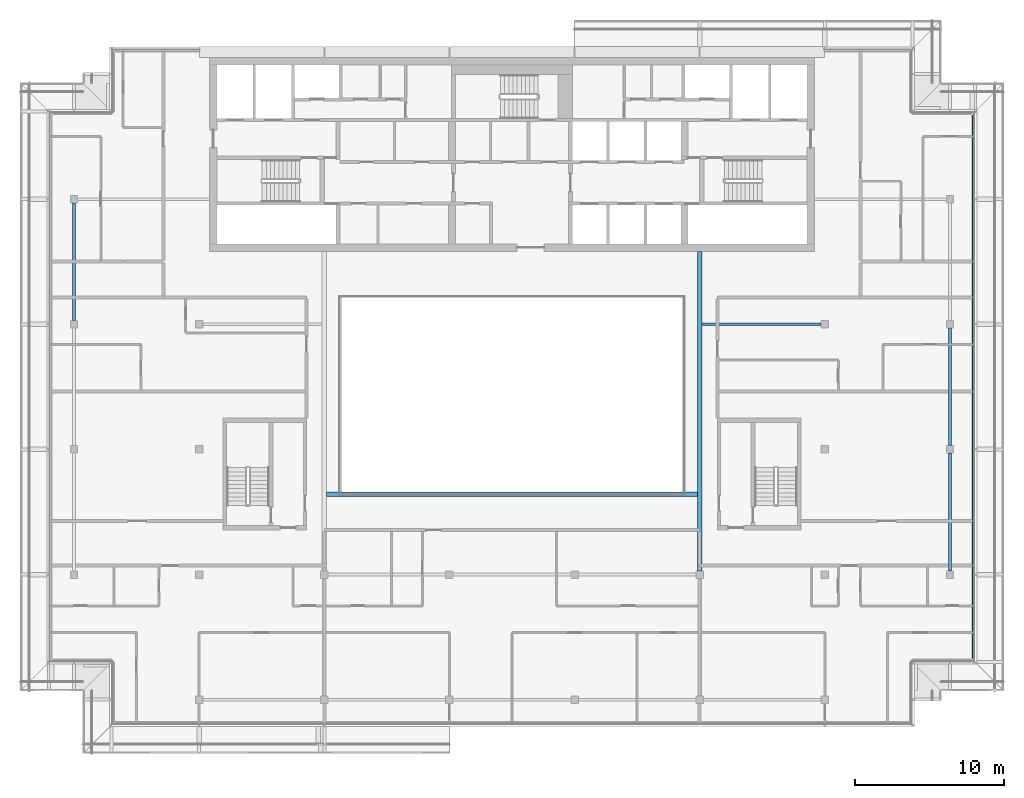
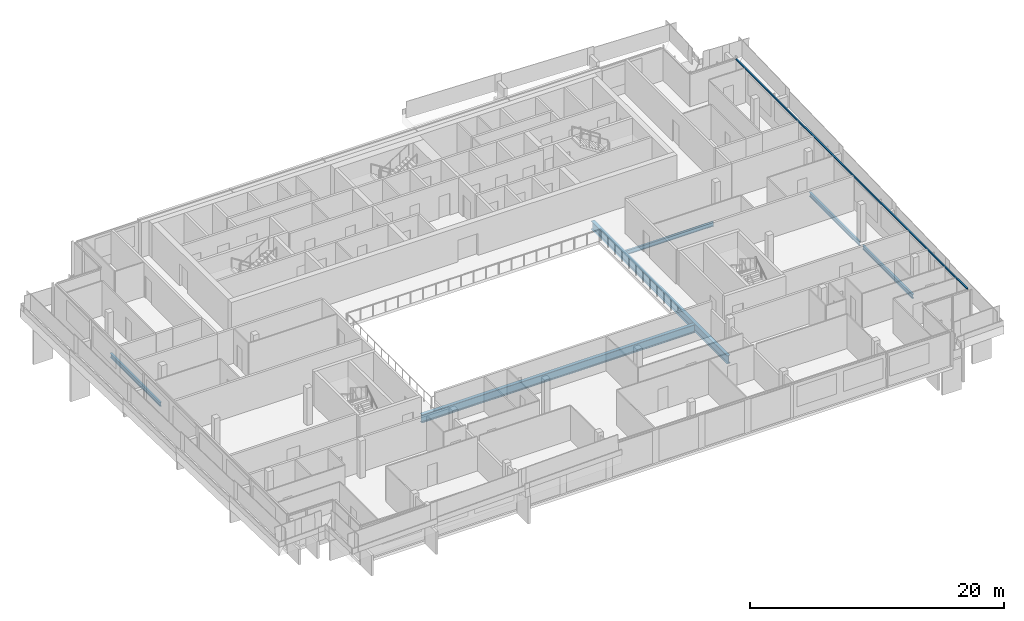
# One storey, part 7 of 27: 6 beams, 1 member, 1 element without a shape of its own.
"""IFC4 building model written with IfcOpenShell, lengths in metres."""

from ifc_helpers import new_model, si_unit, direction, frame, origin, origin_2d, place, context, subcontext, project, spatial, rectangle, i_section, extrude, material, material_profile, profile_set, type_object, element, aggregate, save


model = new_model("IFC4")

# Units and contexts
model_context = context("Model", 3, precision=1e-05, world=origin(), true_north=direction((0.0, 1.0)))
body_context = subcontext(model_context, "Body", "Model", "MODEL_VIEW")
ifc_project = project(units=[si_unit("LENGTHUNIT", "METRE"), si_unit("AREAUNIT", "SQUARE_METRE"), si_unit("VOLUMEUNIT", "CUBIC_METRE"), si_unit("PLANEANGLEUNIT", "RADIAN"), si_unit("MASSUNIT", "GRAM", prefix="KILO")], contexts=[model_context])

# Site, building, storey
site_placement = place(None, origin())
site = spatial("IfcSite", under=ifc_project, at=site_placement, CompositionType="ELEMENT")
building_placement = place(site_placement, origin())
building = spatial("IfcBuilding", under=site, at=building_placement, Name="Saffron Gate Tower", CompositionType="ELEMENT")
storey_placement = place(building_placement, frame((0.0, 0.0, 274.35009765625)))
storey = spatial("IfcBuildingStorey", under=building, at=storey_placement, Name="L66", CompositionType="ELEMENT", Elevation=274.35009765625)

# Beams
ifc_material_1 = material(Name="Structural steel S355", Category="steel")
ifc_material_profile_1 = material_profile(ifc_material_1, i_section(OverallWidth=0.300048828125, OverallDepth=0.7900390625, WebThickness=0.014892578125, FlangeThickness=0.028076171875, FilletRadius=0.030029296875, at=origin_2d()))
ifc_profile_set_1 = profile_set([ifc_material_profile_1], Name="Structural steel S355")
beam_type_1 = type_object("IfcBeamType", Name="B18 HEA 800", PredefinedType="BEAM", material=ifc_profile_set_1)
beam_1_placement = place(storey_placement, frame((100.199951171875, 40.449951171875, -0.675048828125), z_axis=(0.0, 1.0, 0.0), x_axis=(-1.0, 0.0, 0.0)))
element("IfcBeam", 1, at=beam_1_placement, inside=storey, type_object=beam_type_1, Name="B18 ATRIUM GIRDER", PredefinedType="BEAM", context=body_context, shape_type="SweptSolid", body=[
    extrude(i_section(OverallWidth=0.300048828125, OverallDepth=0.7900390625, WebThickness=0.014892578125, FlangeThickness=0.028076171875, FilletRadius=0.030029296875, at=origin_2d()), origin(), (0.0, 0.0, 1.0), 21.449951171875),
])
beam_2_placement = place(storey_placement, frame((75.14990234375, 45.60009765625, -0.675048828125), z_axis=(1.0, 0.0, 0.0), x_axis=(0.0, 1.0, 0.0)))
element("IfcBeam", 2, at=beam_2_placement, inside=storey, type_object=beam_type_1, Name="B18 ATRIUM GIRDER", PredefinedType="BEAM", context=body_context, shape_type="SweptSolid", body=[
    extrude(i_section(OverallWidth=0.300048828125, OverallDepth=0.7900390625, WebThickness=0.014892578125, FlangeThickness=0.028076171875, FilletRadius=0.030029296875, at=origin_2d()), origin(), (0.0, 0.0, 1.0), 24.900146484375),
])
ifc_material_profile_2 = material_profile(ifc_material_1, i_section(OverallWidth=0.179931640625, OverallDepth=0.39990234375, WebThickness=0.008544921875, FlangeThickness=0.013427734375, FilletRadius=0.02099609375, at=origin_2d()))
ifc_profile_set_2 = profile_set([ifc_material_profile_2], Name="Structural steel S355")
beam_type_2 = type_object("IfcBeamType", Name="B4 IPE 400", PredefinedType="BEAM", material=ifc_profile_set_2)
beam_3_placement = place(storey_placement, frame((108.35009765625, 57.0, -0.47998046875), z_axis=(-1.0, 0.0, 0.0), x_axis=(0.0, -1.0, 0.0)))
element("IfcBeam", 3, at=beam_3_placement, inside=storey, type_object=beam_type_2, Name="B4 CORE TIE BEAM", PredefinedType="BEAM", context=body_context, shape_type="SweptSolid", body=[
    extrude(i_section(OverallWidth=0.179931640625, OverallDepth=0.39990234375, WebThickness=0.008544921875, FlangeThickness=0.013427734375, FilletRadius=0.02099609375, at=origin_2d()), origin(), (0.0, 0.0, 1.0), 8.0),
])
ifc_material_profile_3 = material_profile(ifc_material_1, i_section(OverallWidth=0.179931640625, OverallDepth=0.39990234375, WebThickness=0.008544921875, FlangeThickness=0.013427734375, FilletRadius=0.02099609375, at=origin_2d()))
ifc_profile_set_3 = profile_set([ifc_material_profile_3], Name="Structural steel S355")
beam_type_3 = type_object("IfcBeamType", Name="B5 IPE 400", PredefinedType="SPANDREL", material=ifc_profile_set_3)
beam_4_placement = place(storey_placement, frame((58.199951171875, 57.25, -0.47998046875), z_axis=(0.0, 1.0, 0.0), x_axis=(-1.0, 0.0, 0.0)))
element("IfcBeam", 4, at=beam_4_placement, inside=storey, type_object=beam_type_3, Name="B5 SPANDREL BEAM", PredefinedType="SPANDREL", context=body_context, shape_type="SweptSolid", body=[
    extrude(i_section(OverallWidth=0.179931640625, OverallDepth=0.39990234375, WebThickness=0.008544921875, FlangeThickness=0.013427734375, FilletRadius=0.02099609375, at=origin_2d()), origin(), (0.0, 0.0, 1.0), 7.89990234375),
])
beam_5_placement = place(storey_placement, frame((117.0, 40.449951171875, -0.47998046875), z_axis=(0.0, 1.0, 0.0), x_axis=(-1.0, 0.0, 0.0)))
element("IfcBeam", 5, at=beam_5_placement, inside=storey, type_object=beam_type_3, Name="B5 SPANDREL BEAM", PredefinedType="SPANDREL", context=body_context, shape_type="SweptSolid", body=[
    extrude(i_section(OverallWidth=0.179931640625, OverallDepth=0.39990234375, WebThickness=0.008544921875, FlangeThickness=0.013427734375, FilletRadius=0.02099609375, at=origin_2d()), origin(), (0.0, 0.0, 1.0), 7.900146484375),
])
beam_6_placement = place(storey_placement, frame((117.0, 48.85009765625, -0.47998046875), z_axis=(0.0, 1.0, 0.0), x_axis=(-1.0, 0.0, 0.0)))
element("IfcBeam", 6, at=beam_6_placement, inside=storey, type_object=beam_type_3, Name="B5 SPANDREL BEAM", PredefinedType="SPANDREL", context=body_context, shape_type="SweptSolid", body=[
    extrude(i_section(OverallWidth=0.179931640625, OverallDepth=0.39990234375, WebThickness=0.008544921875, FlangeThickness=0.013427734375, FilletRadius=0.02099609375, at=origin_2d()), origin(), (0.0, 0.0, 1.0), 7.89990234375),
])

# Curtain wall, member
ifc_material_2 = material(Name="Aluminium, bronze anodised", Category="aluminium")
curtain_wall_type = type_object("IfcCurtainWallType", Name="CWS2 curtain wall side facades", PredefinedType="NOTDEFINED", material=ifc_material_2)
curtain_wall_placement = place(storey_placement, origin())
curtain_wall = element("IfcCurtainWall", 7, at=curtain_wall_placement, inside=storey, type_object=curtain_wall_type, Name="CWS2 run 4", PredefinedType="NOTDEFINED")
ifc_material_profile_4 = material_profile(ifc_material_2, rectangle(XDim=0.1201171875, YDim=0.1201171875, at=origin_2d()))
ifc_profile_set_4 = profile_set([ifc_material_profile_4], Name="Aluminium, bronze anodised")
member_type = type_object("IfcMemberType", Name="CWS2 head transom", PredefinedType="USERDEFINED", material=ifc_profile_set_4)
member_placement = place(storey_placement, frame((118.552001953125, 34.568115234375, 3.260009765625), z_axis=(0.0, 1.0, 0.0), x_axis=(-1.0, 0.0, 0.0)))
member = element("IfcMember", 8, at=member_placement, type_object=member_type, Name="CWS2 head transom", ObjectType="TRANSOM", PredefinedType="USERDEFINED", context=body_context, shape_type="SweptSolid", body=[
    extrude(rectangle(XDim=0.1201171875, YDim=0.1201171875, at=origin_2d()), origin(), (0.0, 0.0, 1.0), 36.4638671875),
])
aggregate(curtain_wall, [member])

save(model, "model.ifc")
